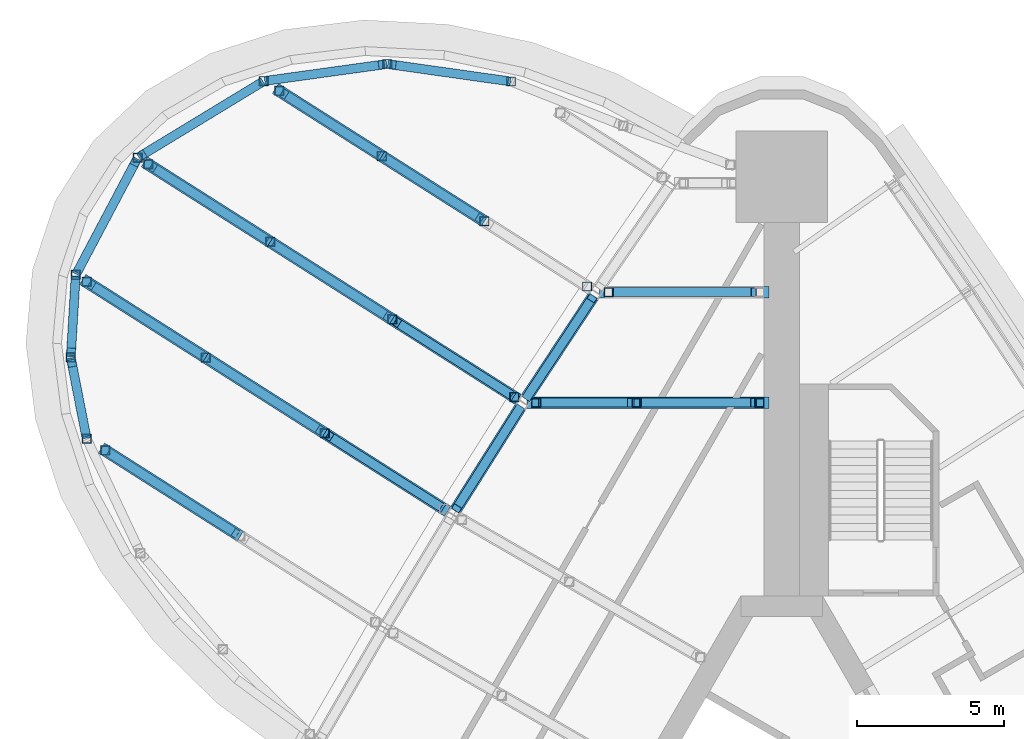
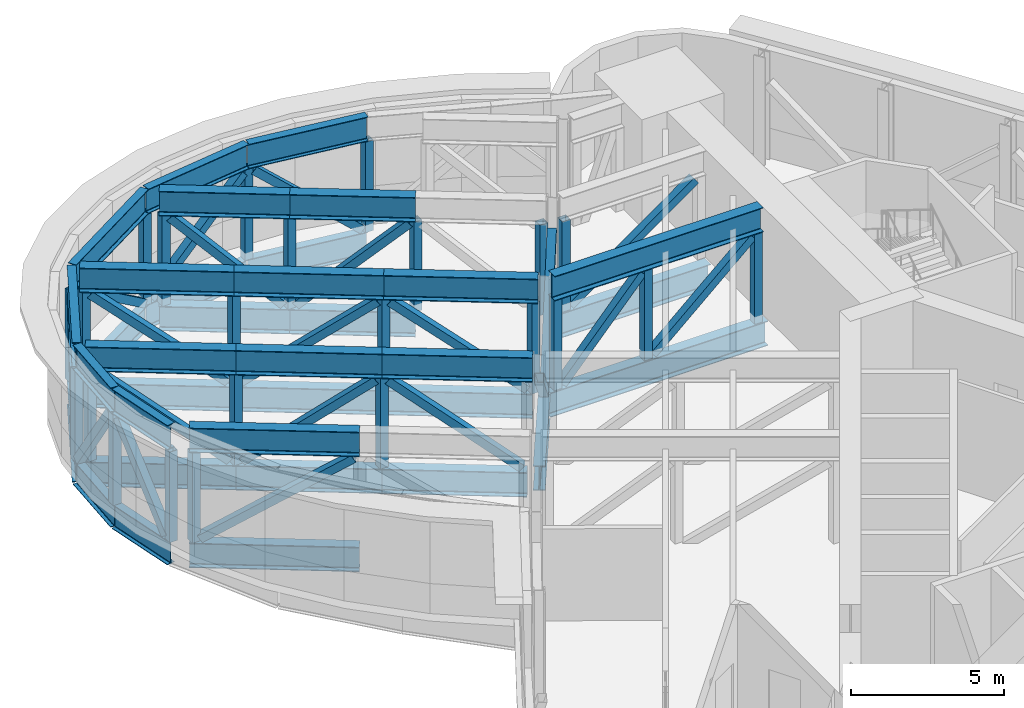
# One storey, part 4 of 11: 76 members, 2 beams.
"""IFC4 building model written with IfcOpenShell, lengths in metres."""

from ifc_helpers import new_model, si_unit, direction, frame, origin, origin_2d, place, context, subcontext, project, spatial, hollow_rectangle, i_section, extrude, material, material_profile, profile_set, type_object, element, save


model = new_model("IFC4")

# Units and contexts
model_context = context("Model", 3, precision=1e-05, world=origin(), true_north=direction((0.0, 1.0)))
body_context = subcontext(model_context, "Body", "Model", "MODEL_VIEW")
ifc_project = project(units=[si_unit("LENGTHUNIT", "METRE"), si_unit("AREAUNIT", "SQUARE_METRE"), si_unit("VOLUMEUNIT", "CUBIC_METRE"), si_unit("PLANEANGLEUNIT", "RADIAN"), si_unit("MASSUNIT", "GRAM", prefix="KILO")], contexts=[model_context])

# Site, building, storey
site_placement = place(None, origin())
site = spatial("IfcSite", under=ifc_project, at=site_placement, CompositionType="ELEMENT")
building_placement = place(site_placement, origin())
building = spatial("IfcBuilding", under=site, at=building_placement, Name="Noor Cloister Tower", CompositionType="ELEMENT")
storey_placement = place(building_placement, frame((0.0, 0.0, 87.0)))
storey = spatial("IfcBuildingStorey", under=building, at=storey_placement, Name="L22", CompositionType="ELEMENT", Elevation=87.0)

# Beams
ifc_material_1 = material(Name="Steel ASTM A992 Gr 50", Category="steel")
ifc_material_profile_1 = material_profile(ifc_material_1, i_section(OverallWidth=0.40087890625, OverallDepth=0.98291015625, WebThickness=0.0166015625, FlangeThickness=0.027099609375, FilletRadius=0.030029296875, at=origin_2d()), Name="W1000x296")
ifc_profile_set_1 = profile_set([ifc_material_profile_1], Name="Steel ASTM A992 Gr 50")
beam_type = type_object("IfcBeamType", Name="Belt chord girder W1000x296", PredefinedType="BEAM", material=ifc_profile_set_1)
for number, where, z_axis, x_axis, name in (
    (1, (-6.4091796875, 21.595947265625, -0.79150390625), (-0.55023760703, -0.835008129188, 0.0), (0.835008129188, -0.55023760703, 0.0), "Spandrel beam NW 02 L22"),
    (2, (-8.875732421875, 17.84521484375, -0.79150390625), (-0.533743383618, -0.845646498511, 0.0), (0.845646498511, -0.533743383618, 0.0), "Spandrel beam NW 03 L22"),
):
    element("IfcBeam", number, at=place(storey_placement, frame(where, z_axis=z_axis, x_axis=x_axis)), inside=storey, type_object=beam_type, Name=name, PredefinedType="BEAM", context=body_context, shape_type="SweptSolid", body=[
        extrude(i_section(OverallWidth=0.40087890625, OverallDepth=0.98291015625, WebThickness=0.0166015625, FlangeThickness=0.027099609375, FilletRadius=0.030029296875, at=origin_2d()), origin(), (0.0, 0.0, 1.0), 4.085205078125),
    ])

# Members
ifc_material_2 = material(Name="Steel ASTM A500 Gr C", Category="steel")
ifc_material_profile_2 = material_profile(ifc_material_2, hollow_rectangle(XDim=0.304931640625, YDim=0.304931640625, WallThickness=0.0126953125, at=origin_2d()), Name="HSS304.8x304.8x12.7")
ifc_profile_set_2 = profile_set([ifc_material_profile_2], Name="Steel ASTM A500 Gr C")
member_type_1 = type_object("IfcMemberType", Name="Belt truss diagonal HSS304.8x304.8x12.7", PredefinedType="BRACE", material=ifc_profile_set_2)
for number, where, z_axis, x_axis, name in (
    (3, (-8.6318359375, 18.222900390625, -0.18359375), (0.41981778305, 0.637048535487, 0.646469018955), (-0.834991396882, 0.55026299815, 0.0), "Belt truss diagonal NW 02 L22"),
    (4, (-8.900146484375, 17.806884765625, -0.18359375), (-0.407176762911, -0.64520564825, 0.646464813592), (0.845679126931, -0.533691684658, 0.0), "Belt truss diagonal NW 03 L22"),
):
    element("IfcMember", number, at=place(storey_placement, frame(where, z_axis=z_axis, x_axis=x_axis)), inside=storey, type_object=member_type_1, Name=name, PredefinedType="BRACE", context=body_context, shape_type="SweptSolid", body=[
        extrude(hollow_rectangle(XDim=0.304931640625, YDim=0.304931640625, WallThickness=0.0126953125, at=origin_2d()), origin(), (0.0, 0.0, 1.0), 5.235107421875),
    ])
ifc_material_3 = material(Name="Steel ASTM A992 Gr 50", Category="steel")
ifc_material_profile_3 = material_profile(ifc_material_3, i_section(OverallWidth=0.300048828125, OverallDepth=0.97998046875, WebThickness=0.0166015625, FlangeThickness=0.026123046875, FilletRadius=0.02978515625, at=origin_2d()), Name="W1000x249")
ifc_profile_set_3 = profile_set([ifc_material_profile_3], Name="Steel ASTM A992 Gr 50")
member_type_2 = type_object("IfcMemberType", Name="Pod ring chord W1000x249", PredefinedType="CHORD", material=ifc_profile_set_3)
for number, where, z_axis, x_axis, name in (
    (5, (-9.20263671875, 28.9169921875, -0.7900390625), (-0.990148289424, 0.140022730119, 0.0), (-0.140022730119, -0.990148289424, 0.0), "Pod truss 2 bottom chord ring 3"),
    (6, (-9.20263671875, 28.9169921875, 3.81005859375), (-0.990148289424, 0.140022730119, 0.0), (-0.140022730119, -0.990148289424, 0.0), "Pod truss 2 top chord ring 3"),
):
    element("IfcMember", number, at=place(storey_placement, frame(where, z_axis=z_axis, x_axis=x_axis)), inside=storey, type_object=member_type_2, Name=name, PredefinedType="CHORD", context=body_context, shape_type="SweptSolid", body=[
        extrude(i_section(OverallWidth=0.300048828125, OverallDepth=0.97998046875, WebThickness=0.0166015625, FlangeThickness=0.026123046875, FilletRadius=0.02978515625, at=origin_2d()), origin(), (0.0, 0.0, 1.0), 4.203857421875),
    ])
for number, where, z_axis, x_axis, name in (
    (7, (-13.40673828125, 29.505615234375, -0.7900390625), (-0.990556589538, -0.137104496361, 0.0), (0.137104496361, -0.990556589538, 0.0), "Pod truss 2 bottom chord ring 4"),
    (8, (-13.40673828125, 29.505615234375, 3.81005859375), (-0.990556589538, -0.137104496361, 0.0), (0.137104496361, -0.990556589538, 0.0), "Pod truss 2 top chord ring 4"),
):
    element("IfcMember", number, at=place(storey_placement, frame(where, z_axis=z_axis, x_axis=x_axis)), inside=storey, type_object=member_type_2, Name=name, PredefinedType="CHORD", context=body_context, shape_type="SweptSolid", body=[
        extrude(i_section(OverallWidth=0.300048828125, OverallDepth=0.97998046875, WebThickness=0.0166015625, FlangeThickness=0.026123046875, FilletRadius=0.02978515625, at=origin_2d()), origin(), (0.0, 0.0, 1.0), 4.173828125),
    ])
for number, where, z_axis, x_axis, name in (
    (9, (-17.5986328125, 28.912841796875, -0.7900390625), (-0.854676947338, -0.519160202335, 0.0), (0.519160202335, -0.854676947338, 0.0), "Pod truss 2 bottom chord ring 5"),
    (10, (-17.5986328125, 28.912841796875, 3.81005859375), (-0.854676947338, -0.519160202335, 0.0), (0.519160202335, -0.854676947338, 0.0), "Pod truss 2 top chord ring 5"),
):
    element("IfcMember", number, at=place(storey_placement, frame(where, z_axis=z_axis, x_axis=x_axis)), inside=storey, type_object=member_type_2, Name=name, PredefinedType="CHORD", context=body_context, shape_type="SweptSolid", body=[
        extrude(i_section(OverallWidth=0.300048828125, OverallDepth=0.97998046875, WebThickness=0.0166015625, FlangeThickness=0.026123046875, FilletRadius=0.02978515625, at=origin_2d()), origin(), (0.0, 0.0, 1.0), 4.93359375),
    ])
for number, where, z_axis, x_axis, name in (
    (11, (-21.869873046875, 26.293212890625, -0.7900390625), (-0.467512874342, -0.88398626252, 0.0), (0.88398626252, -0.467512874342, 0.0), "Pod truss 2 bottom chord ring 6"),
    (12, (-21.869873046875, 26.293212890625, 3.81005859375), (-0.467512874342, -0.88398626252, 0.0), (0.88398626252, -0.467512874342, 0.0), "Pod truss 2 top chord ring 6"),
):
    element("IfcMember", number, at=place(storey_placement, frame(where, z_axis=z_axis, x_axis=x_axis)), inside=storey, type_object=member_type_2, Name=name, PredefinedType="CHORD", context=body_context, shape_type="SweptSolid", body=[
        extrude(i_section(OverallWidth=0.300048828125, OverallDepth=0.97998046875, WebThickness=0.0166015625, FlangeThickness=0.026123046875, FilletRadius=0.02978515625, at=origin_2d()), origin(), (0.0, 0.0, 1.0), 4.429443359375),
    ])
for number, where, z_axis, x_axis, name in (
    (13, (-23.957763671875, 22.31640625, -0.7900390625), (-0.059954150617, -0.998201131949, 0.0), (0.998201131949, -0.059954150617, 0.0), "Pod truss 2 bottom chord ring 7"),
    (14, (-23.957763671875, 22.31640625, 3.81005859375), (-0.059954150617, -0.998201131949, 0.0), (0.998201131949, -0.059954150617, 0.0), "Pod truss 2 top chord ring 7"),
):
    element("IfcMember", number, at=place(storey_placement, frame(where, z_axis=z_axis, x_axis=x_axis)), inside=storey, type_object=member_type_2, Name=name, PredefinedType="CHORD", context=body_context, shape_type="SweptSolid", body=[
        extrude(i_section(OverallWidth=0.300048828125, OverallDepth=0.97998046875, WebThickness=0.0166015625, FlangeThickness=0.026123046875, FilletRadius=0.02978515625, at=origin_2d()), origin(), (0.0, 0.0, 1.0), 2.752685546875),
    ])
for number, where, z_axis, x_axis, name in (
    (15, (-24.120361328125, 19.53076171875, -0.7900390625), (0.192163013975, -0.981363019509, 0.0), (0.981363019509, 0.192163013975, 0.0), "Pod truss 2 bottom chord ring 8"),
    (16, (-24.120361328125, 19.53076171875, 3.81005859375), (0.192163013975, -0.981363019509, 0.0), (0.981363019509, 0.192163013975, 0.0), "Pod truss 2 top chord ring 8"),
):
    element("IfcMember", number, at=place(storey_placement, frame(where, z_axis=z_axis, x_axis=x_axis)), inside=storey, type_object=member_type_2, Name=name, PredefinedType="CHORD", context=body_context, shape_type="SweptSolid", body=[
        extrude(i_section(OverallWidth=0.300048828125, OverallDepth=0.97998046875, WebThickness=0.0166015625, FlangeThickness=0.026123046875, FilletRadius=0.02978515625, at=origin_2d()), origin(), (0.0, 0.0, 1.0), 2.768310546875),
    ])
ifc_material_4 = material(Name="Steel ASTM A992 Gr 50", Category="steel")
ifc_material_profile_4 = material_profile(ifc_material_4, i_section(OverallWidth=0.40087890625, OverallDepth=0.98291015625, WebThickness=0.0166015625, FlangeThickness=0.027099609375, FilletRadius=0.030029296875, at=origin_2d()), Name="W1000x296")
ifc_profile_set_4 = profile_set([ifc_material_profile_4], Name="Steel ASTM A992 Gr 50")
member_type_3 = type_object("IfcMemberType", Name="Pod truss chord W1000x296", PredefinedType="CHORD", material=ifc_profile_set_4)
for number, where, z_axis, x_axis, name in (
    (17, (-10.08447265625, 24.1708984375, -0.79150390625), (-0.844004898836, 0.536335464742, 0.0), (-0.536335464742, -0.844004898836, 0.0), "Pod truss 2 bottom chord line 2 cantilever 2"),
    (18, (-10.08447265625, 24.1708984375, 3.80859375), (-0.844004898836, 0.536335464742, 0.0), (-0.536335464742, -0.844004898836, 0.0), "Pod truss 2 top chord line 2 cantilever 2"),
):
    element("IfcMember", number, at=place(storey_placement, frame(where, z_axis=z_axis, x_axis=x_axis)), inside=storey, type_object=member_type_3, Name=name, PredefinedType="CHORD", context=body_context, shape_type="SweptSolid", body=[
        extrude(i_section(OverallWidth=0.40087890625, OverallDepth=0.98291015625, WebThickness=0.0166015625, FlangeThickness=0.027099609375, FilletRadius=0.030029296875, at=origin_2d()), origin(), (0.0, 0.0, 1.0), 4.12548828125),
    ])
for number, where, z_axis, x_axis, name in (
    (19, (-13.56640625, 26.383544921875, -0.79150390625), (-0.843976222803, 0.536380588149, 0.0), (-0.536380588149, -0.843976222803, 0.0), "Pod truss 2 bottom chord line 2 cantilever 3"),
    (20, (-13.56640625, 26.383544921875, 3.80859375), (-0.843976222803, 0.536380588149, 0.0), (-0.536380588149, -0.843976222803, 0.0), "Pod truss 2 top chord line 2 cantilever 3"),
):
    element("IfcMember", number, at=place(storey_placement, frame(where, z_axis=z_axis, x_axis=x_axis)), inside=storey, type_object=member_type_3, Name=name, PredefinedType="CHORD", context=body_context, shape_type="SweptSolid", body=[
        extrude(i_section(OverallWidth=0.40087890625, OverallDepth=0.98291015625, WebThickness=0.0166015625, FlangeThickness=0.027099609375, FilletRadius=0.030029296875, at=origin_2d()), origin(), (0.0, 0.0, 1.0), 4.278076171875),
    ])
member_1_placement = place(storey_placement, frame((-6.17333984375, 21.7646484375, -0.79150390625), z_axis=(1.0, 0.0, 0.0), x_axis=(0.0, 1.0, 0.0)))
element("IfcMember", 21, at=member_1_placement, inside=storey, type_object=member_type_3, Name="Pod truss 2 bottom chord line 2 back span", PredefinedType="CHORD", context=body_context, shape_type="SweptSolid", body=[
    extrude(i_section(OverallWidth=0.40087890625, OverallDepth=0.98291015625, WebThickness=0.0166015625, FlangeThickness=0.027099609375, FilletRadius=0.030029296875, at=origin_2d()), origin(), (0.0, 0.0, 1.0), 5.748291015625),
])
member_2_placement = place(storey_placement, frame((-9.090576171875, 18.22119140625, -0.79150390625), z_axis=(-0.84401129242, 0.53632540334, 0.0), x_axis=(-0.53632540334, -0.84401129242, 0.0)))
element("IfcMember", 22, at=member_2_placement, inside=storey, type_object=member_type_3, Name="Pod truss 2 bottom chord line 3 cantilever 1", PredefinedType="CHORD", context=body_context, shape_type="SweptSolid", body=[
    extrude(i_section(OverallWidth=0.40087890625, OverallDepth=0.98291015625, WebThickness=0.0166015625, FlangeThickness=0.027099609375, FilletRadius=0.030029296875, at=origin_2d()), origin(), (0.0, 0.0, 1.0), 4.883056640625),
])
member_3_placement = place(storey_placement, frame((-8.9404296875, 18.125732421875, 3.80859375), z_axis=(-0.844006938278, 0.53633225536, 0.0), x_axis=(-0.53633225536, -0.844006938278, 0.0)))
element("IfcMember", 23, at=member_3_placement, inside=storey, type_object=member_type_3, Name="Pod truss 2 top chord line 3 cantilever 1", PredefinedType="CHORD", context=body_context, shape_type="SweptSolid", body=[
    extrude(i_section(OverallWidth=0.40087890625, OverallDepth=0.98291015625, WebThickness=0.0166015625, FlangeThickness=0.027099609375, FilletRadius=0.030029296875, at=origin_2d()), origin(), (0.0, 0.0, 1.0), 5.06103515625),
])
for number, where, z_axis, x_axis, name in (
    (24, (-13.2119140625, 20.840087890625, -0.79150390625), (-0.843995170507, 0.536350773431, 0.0), (-0.536350773431, -0.843995170507, 0.0), "Pod truss 2 bottom chord line 3 cantilever 2"),
    (25, (-13.2119140625, 20.840087890625, 3.80859375), (-0.843995170507, 0.536350773431, 0.0), (-0.536350773431, -0.843995170507, 0.0), "Pod truss 2 top chord line 3 cantilever 2"),
):
    element("IfcMember", number, at=place(storey_placement, frame(where, z_axis=z_axis, x_axis=x_axis)), inside=storey, type_object=member_type_3, Name=name, PredefinedType="CHORD", context=body_context, shape_type="SweptSolid", body=[
        extrude(i_section(OverallWidth=0.40087890625, OverallDepth=0.98291015625, WebThickness=0.0166015625, FlangeThickness=0.027099609375, FilletRadius=0.030029296875, at=origin_2d()), origin(), (0.0, 0.0, 1.0), 4.908203125),
    ])
for number, where, z_axis, x_axis, name in (
    (26, (-17.3544921875, 23.47265625, -0.79150390625), (-0.843993061085, 0.536354092778, 0.0), (-0.536354092778, -0.843993061085, 0.0), "Pod truss 2 bottom chord line 3 cantilever 3"),
    (27, (-17.3544921875, 23.47265625, 3.80859375), (-0.843993061085, 0.536354092778, 0.0), (-0.536354092778, -0.843993061085, 0.0), "Pod truss 2 top chord line 3 cantilever 3"),
):
    element("IfcMember", number, at=place(storey_placement, frame(where, z_axis=z_axis, x_axis=x_axis)), inside=storey, type_object=member_type_3, Name=name, PredefinedType="CHORD", context=body_context, shape_type="SweptSolid", body=[
        extrude(i_section(OverallWidth=0.40087890625, OverallDepth=0.98291015625, WebThickness=0.0166015625, FlangeThickness=0.027099609375, FilletRadius=0.030029296875, at=origin_2d()), origin(), (0.0, 0.0, 1.0), 5.060791015625),
    ])
member_4_placement = place(storey_placement, frame((-8.64208984375, 18.01611328125, -0.79150390625), z_axis=(1.0, 0.0, 0.0), x_axis=(0.0, 1.0, 0.0)))
element("IfcMember", 28, at=member_4_placement, inside=storey, type_object=member_type_3, Name="Pod truss 2 bottom chord line 3 back span", PredefinedType="CHORD", context=body_context, shape_type="SweptSolid", body=[
    extrude(i_section(OverallWidth=0.40087890625, OverallDepth=0.98291015625, WebThickness=0.0166015625, FlangeThickness=0.027099609375, FilletRadius=0.030029296875, at=origin_2d()), origin(), (0.0, 0.0, 1.0), 8.217041015625),
])
member_5_placement = place(storey_placement, frame((-8.488037109375, 18.01611328125, 3.80859375), z_axis=(1.0, 0.0, 0.0), x_axis=(0.0, 1.0, 0.0)))
element("IfcMember", 29, at=member_5_placement, inside=storey, type_object=member_type_3, Name="Pod truss 2 top chord line 3 back span", PredefinedType="CHORD", context=body_context, shape_type="SweptSolid", body=[
    extrude(i_section(OverallWidth=0.40087890625, OverallDepth=0.98291015625, WebThickness=0.0166015625, FlangeThickness=0.027099609375, FilletRadius=0.030029296875, at=origin_2d()), origin(), (0.0, 0.0, 1.0), 7.887939453125),
])
member_6_placement = place(storey_placement, frame((-11.486083984375, 14.424560546875, -0.79150390625), z_axis=(-0.844007367852, 0.536331579353, 0.0), x_axis=(-0.536331579353, -0.844007367852, 0.0)))
element("IfcMember", 30, at=member_6_placement, inside=storey, type_object=member_type_3, Name="Pod truss 2 bottom chord line 4 cantilever 1", PredefinedType="CHORD", context=body_context, shape_type="SweptSolid", body=[
    extrude(i_section(OverallWidth=0.40087890625, OverallDepth=0.98291015625, WebThickness=0.0166015625, FlangeThickness=0.027099609375, FilletRadius=0.030029296875, at=origin_2d()), origin(), (0.0, 0.0, 1.0), 4.76416015625),
])
member_7_placement = place(storey_placement, frame((-11.33740234375, 14.330078125, 3.80859375), z_axis=(-0.844007237463, 0.536331784542, 0.0), x_axis=(-0.536331784542, -0.844007237463, 0.0)))
element("IfcMember", 31, at=member_7_placement, inside=storey, type_object=member_type_3, Name="Pod truss 2 top chord line 4 cantilever 1", PredefinedType="CHORD", context=body_context, shape_type="SweptSolid", body=[
    extrude(i_section(OverallWidth=0.40087890625, OverallDepth=0.98291015625, WebThickness=0.0166015625, FlangeThickness=0.027099609375, FilletRadius=0.030029296875, at=origin_2d()), origin(), (0.0, 0.0, 1.0), 4.9404296875),
])
for number, where, z_axis, x_axis, name in (
    (32, (-15.507080078125, 16.979736328125, -0.79150390625), (-0.843972098945, 0.536387076841, 0.0), (-0.536387076841, -0.843972098945, 0.0), "Pod truss 2 bottom chord line 4 cantilever 2"),
    (33, (-15.507080078125, 16.979736328125, 3.80859375), (-0.843972098945, 0.536387076841, 0.0), (-0.536387076841, -0.843972098945, 0.0), "Pod truss 2 top chord line 4 cantilever 2"),
):
    element("IfcMember", number, at=place(storey_placement, frame(where, z_axis=z_axis, x_axis=x_axis)), inside=storey, type_object=member_type_3, Name=name, PredefinedType="CHORD", context=body_context, shape_type="SweptSolid", body=[
        extrude(i_section(OverallWidth=0.40087890625, OverallDepth=0.98291015625, WebThickness=0.0166015625, FlangeThickness=0.027099609375, FilletRadius=0.030029296875, at=origin_2d()), origin(), (0.0, 0.0, 1.0), 4.787841796875),
    ])
for number, where, z_axis, x_axis, name in (
    (34, (-19.5478515625, 19.5478515625, -0.79150390625), (-0.844007237463, 0.536331784542, 0.0), (-0.536331784542, -0.844007237463, 0.0), "Pod truss 2 bottom chord line 4 cantilever 3"),
    (35, (-19.5478515625, 19.5478515625, 3.80859375), (-0.844007237463, 0.536331784542, 0.0), (-0.536331784542, -0.844007237463, 0.0), "Pod truss 2 top chord line 4 cantilever 3"),
):
    element("IfcMember", number, at=place(storey_placement, frame(where, z_axis=z_axis, x_axis=x_axis)), inside=storey, type_object=member_type_3, Name=name, PredefinedType="CHORD", context=body_context, shape_type="SweptSolid", body=[
        extrude(i_section(OverallWidth=0.40087890625, OverallDepth=0.98291015625, WebThickness=0.0166015625, FlangeThickness=0.027099609375, FilletRadius=0.030029296875, at=origin_2d()), origin(), (0.0, 0.0, 1.0), 4.9404296875),
    ])
for number, where, z_axis, x_axis, name in (
    (36, (-18.37158203125, 13.482666015625, -0.79150390625), (-0.843972980806, 0.536385689284, 0.0), (-0.536385689284, -0.843972980806, 0.0), "Pod truss 2 bottom chord line 5 cantilever 2"),
    (37, (-18.37158203125, 13.482666015625, 3.80859375), (-0.843972980806, 0.536385689284, 0.0), (-0.536385689284, -0.843972980806, 0.0), "Pod truss 2 top chord line 5 cantilever 2"),
):
    element("IfcMember", number, at=place(storey_placement, frame(where, z_axis=z_axis, x_axis=x_axis)), inside=storey, type_object=member_type_3, Name=name, PredefinedType="CHORD", context=body_context, shape_type="SweptSolid", body=[
        extrude(i_section(OverallWidth=0.40087890625, OverallDepth=0.98291015625, WebThickness=0.0166015625, FlangeThickness=0.027099609375, FilletRadius=0.030029296875, at=origin_2d()), origin(), (0.0, 0.0, 1.0), 5.580810546875),
    ])
ifc_material_5 = material(Name="Steel ASTM A500 Gr C", Category="steel")
ifc_material_profile_5 = material_profile(ifc_material_5, hollow_rectangle(XDim=0.304931640625, YDim=0.304931640625, WallThickness=0.0126953125, at=origin_2d()), Name="HSS304.8x304.8x12.7")
ifc_profile_set_5 = profile_set([ifc_material_profile_5], Name="Steel ASTM A500 Gr C")
member_type_4 = type_object("IfcMemberType", Name="Pod truss diagonal HSS304.8x304.8x12.7", PredefinedType="BRACE", material=ifc_profile_set_5)
member_8_placement = place(storey_placement, frame((-9.38037109375, 28.942138671875, -0.185546875), z_axis=(-0.742830358495, 0.105010174357, 0.661192802275), x_axis=(-0.139973249587, -0.990155285498, 0.0)))
element("IfcMember", 38, at=member_8_placement, inside=storey, type_object=member_type_4, Name="Pod truss 2 diagonal ring 3", PredefinedType="BRACE", context=body_context, shape_type="SweptSolid", body=[
    extrude(hollow_rectangle(XDim=0.304931640625, YDim=0.304931640625, WallThickness=0.0126953125, at=origin_2d()), origin(), (0.0, 0.0, 1.0), 5.128662109375),
])
member_9_placement = place(storey_placement, frame((-13.58154296875, 29.4814453125, 3.205810546875), z_axis=(-0.741680040304, -0.10263469935, -0.662855064327), x_axis=(0.137075139183, -0.990560652468, 0.0)))
element("IfcMember", 39, at=member_9_placement, inside=storey, type_object=member_type_4, Name="Pod truss 2 diagonal ring 4", PredefinedType="BRACE", context=body_context, shape_type="SweptSolid", body=[
    extrude(hollow_rectangle(XDim=0.304931640625, YDim=0.304931640625, WallThickness=0.0126953125, at=origin_2d()), origin(), (0.0, 0.0, 1.0), 5.11669921875),
])
member_10_placement = place(storey_placement, frame((-17.74072265625, 28.82666015625, -0.177001953125), z_axis=(-0.689719599021, -0.419036061677, 0.590504575546), x_axis=(0.519229562536, -0.854634811711, 0.0)))
element("IfcMember", 40, at=member_10_placement, inside=storey, type_object=member_type_4, Name="Pod truss 2 diagonal ring 5", PredefinedType="BRACE", context=body_context, shape_type="SweptSolid", body=[
    extrude(hollow_rectangle(XDim=0.304931640625, YDim=0.304931640625, WallThickness=0.0126953125, at=origin_2d()), origin(), (0.0, 0.0, 1.0), 5.7138671875),
])
member_11_placement = place(storey_placement, frame((-21.94287109375, 26.1552734375, 3.202392578125), z_axis=(-0.360823802459, -0.682249149813, -0.63587914037), x_axis=(0.88398443101, -0.467516337395, 0.0)))
element("IfcMember", 41, at=member_11_placement, inside=storey, type_object=member_type_4, Name="Pod truss 2 diagonal ring 6", PredefinedType="BRACE", context=body_context, shape_type="SweptSolid", body=[
    extrude(hollow_rectangle(XDim=0.304931640625, YDim=0.304931640625, WallThickness=0.0126953125, at=origin_2d()), origin(), (0.0, 0.0, 1.0), 5.322998046875),
])
member_12_placement = place(storey_placement, frame((-23.9677734375, 22.15185546875, -0.212646484375), z_axis=(-0.034318744607, -0.572095214661, 0.81946890675), x_axis=(0.99820557228, -0.059880175925, 0.0)))
element("IfcMember", 42, at=member_12_placement, inside=storey, type_object=member_type_4, Name="Pod truss 2 diagonal ring 7", PredefinedType="BRACE", context=body_context, shape_type="SweptSolid", body=[
    extrude(hollow_rectangle(XDim=0.304931640625, YDim=0.304931640625, WallThickness=0.0126953125, at=origin_2d()), origin(), (0.0, 0.0, 1.0), 4.204345703125),
])
member_13_placement = place(storey_placement, frame((-24.0859375, 19.355712890625, 3.232666015625), z_axis=(0.110191429974, -0.562684583409, -0.819294762801), x_axis=(0.98135945709, 0.192181206104, 0.0)))
element("IfcMember", 43, at=member_13_placement, inside=storey, type_object=member_type_4, Name="Pod truss 2 diagonal ring 8", PredefinedType="BRACE", context=body_context, shape_type="SweptSolid", body=[
    extrude(hollow_rectangle(XDim=0.304931640625, YDim=0.304931640625, WallThickness=0.0126953125, at=origin_2d()), origin(), (0.0, 0.0, 1.0), 4.205322265625),
])
member_14_placement = place(storey_placement, frame((-10.2509765625, 24.27685546875, 3.2041015625), z_axis=(-0.624531543289, 0.396839264732, -0.672665555387), x_axis=(-0.536307938753, -0.844022390006, 0.0)))
element("IfcMember", 44, at=member_14_placement, inside=storey, type_object=member_type_4, Name="Pod truss 2 diagonal line 2 cantilever 2", PredefinedType="BRACE", context=body_context, shape_type="SweptSolid", body=[
    extrude(hollow_rectangle(XDim=0.304931640625, YDim=0.304931640625, WallThickness=0.0126953125, at=origin_2d()), origin(), (0.0, 0.0, 1.0), 5.041748046875),
])
member_15_placement = place(storey_placement, frame((-13.733154296875, 26.489501953125, -0.187255859375), z_axis=(-0.624490002866, 0.396892064477, 0.672672970674), x_axis=(-0.536384181502, -0.843973939073, 0.0)))
element("IfcMember", 45, at=member_15_placement, inside=storey, type_object=member_type_4, Name="Pod truss 2 diagonal line 2 cantilever 3", PredefinedType="BRACE", context=body_context, shape_type="SweptSolid", body=[
    extrude(hollow_rectangle(XDim=0.304931640625, YDim=0.304931640625, WallThickness=0.0126953125, at=origin_2d()), origin(), (0.0, 0.0, 1.0), 5.04150390625),
])
member_16_placement = place(storey_placement, frame((-5.666748046875, 21.7646484375, -0.17578125), z_axis=(0.813773313268, 0.0, 0.581182410791), x_axis=(0.0, 1.0, 0.0)))
element("IfcMember", 46, at=member_16_placement, inside=storey, type_object=member_type_4, Name="Pod truss 2 diagonal line 2 back span 1", PredefinedType="BRACE", context=body_context, shape_type="SweptSolid", body=[
    extrude(hollow_rectangle(XDim=0.304931640625, YDim=0.304931640625, WallThickness=0.0126953125, at=origin_2d()), origin(), (0.0, 0.0, 1.0), 5.796142578125),
])
for number, where, z_axis, x_axis, name in (
    (47, (-9.23583984375, 18.3134765625, -0.177734375), (-0.676102672219, 0.429632634433, 0.598582472219), (-0.53632936143, -0.844008777246, 0.0), "Pod truss 2 diagonal line 3 cantilever 1"),
    (48, (-13.37841796875, 20.946044921875, 3.19482421875), (-0.676102672219, 0.429632634433, -0.598582472219), (-0.53632936143, -0.844008777246, 0.0), "Pod truss 2 diagonal line 3 cantilever 2"),
    (49, (-17.521240234375, 23.57861328125, -0.177734375), (-0.676066559755, 0.429680554193, 0.598588864021), (-0.536392379954, -0.843968728524, 0.0), "Pod truss 2 diagonal line 3 cantilever 3"),
):
    element("IfcMember", number, at=place(storey_placement, frame(where, z_axis=z_axis, x_axis=x_axis)), inside=storey, type_object=member_type_4, Name=name, PredefinedType="BRACE", context=body_context, shape_type="SweptSolid", body=[
        extrude(hollow_rectangle(XDim=0.304931640625, YDim=0.304931640625, WallThickness=0.0126953125, at=origin_2d()), origin(), (0.0, 0.0, 1.0), 5.63427734375),
    ])
member_17_placement = place(storey_placement, frame((-8.137939453125, 18.01611328125, -0.198974609375), z_axis=(0.662122939031, 0.0, 0.749395231909), x_axis=(0.0, 1.0, 0.0)))
element("IfcMember", 50, at=member_17_placement, inside=storey, type_object=member_type_4, Name="Pod truss 2 diagonal line 3 back span 1", PredefinedType="BRACE", context=body_context, shape_type="SweptSolid", body=[
    extrude(hollow_rectangle(XDim=0.304931640625, YDim=0.304931640625, WallThickness=0.0126953125, at=origin_2d()), origin(), (0.0, 0.0, 1.0), 4.55712890625),
])
member_18_placement = place(storey_placement, frame((-4.7255859375, 18.01611328125, -0.1865234375), z_axis=(0.744071164691, 0.0, 0.668100368115), x_axis=(0.0, 1.0, 0.0)))
element("IfcMember", 51, at=member_18_placement, inside=storey, type_object=member_type_4, Name="Pod truss 2 diagonal line 3 back span 2", PredefinedType="BRACE", context=body_context, shape_type="SweptSolid", body=[
    extrude(hollow_rectangle(XDim=0.304931640625, YDim=0.304931640625, WallThickness=0.0126953125, at=origin_2d()), origin(), (0.0, 0.0, 1.0), 5.07421875),
])
member_19_placement = place(storey_placement, frame((-11.6328125, 14.517822265625, -0.178955078125), z_axis=(-0.669279040095, 0.425295847288, 0.609252828281), x_axis=(-0.536328752453, -0.844009164223, 0.0)))
element("IfcMember", 52, at=member_19_placement, inside=storey, type_object=member_type_4, Name="Pod truss 2 diagonal line 4 cantilever 1", PredefinedType="BRACE", context=body_context, shape_type="SweptSolid", body=[
    extrude(hollow_rectangle(XDim=0.304931640625, YDim=0.304931640625, WallThickness=0.0126953125, at=origin_2d()), origin(), (0.0, 0.0, 1.0), 5.53955078125),
])
for number, where, z_axis, x_axis, name in (
    (53, (-15.673583984375, 17.085693359375, 3.196044921875), (-0.669266495043, 0.425331946771, -0.609241408368), (-0.53636834183, -0.843984005703, 0.0), "Pod truss 2 diagonal line 4 cantilever 2"),
    (54, (-19.714599609375, 19.653564453125, -0.178955078125), (-0.669266495043, 0.425331946771, 0.609241408368), (-0.53636834183, -0.843984005703, 0.0), "Pod truss 2 diagonal line 4 cantilever 3"),
):
    element("IfcMember", number, at=place(storey_placement, frame(where, z_axis=z_axis, x_axis=x_axis)), inside=storey, type_object=member_type_4, Name=name, PredefinedType="BRACE", context=body_context, shape_type="SweptSolid", body=[
        extrude(hollow_rectangle(XDim=0.304931640625, YDim=0.304931640625, WallThickness=0.0126953125, at=origin_2d()), origin(), (0.0, 0.0, 1.0), 5.539794921875),
    ])
member_20_placement = place(storey_placement, frame((-18.5380859375, 13.588623046875, 3.190185546875), z_axis=(-0.701760293381, 0.445955136153, -0.555568634079), x_axis=(-0.536344992694, -0.843998844082, 0.0)))
element("IfcMember", 55, at=member_20_placement, inside=storey, type_object=member_type_4, Name="Pod truss 2 diagonal line 5 cantilever 2", PredefinedType="BRACE", context=body_context, shape_type="SweptSolid", body=[
    extrude(hollow_rectangle(XDim=0.304931640625, YDim=0.304931640625, WallThickness=0.0126953125, at=origin_2d()), origin(), (0.0, 0.0, 1.0), 6.0537109375),
])
ifc_material_6 = material(Name="Steel ASTM A500 Gr C", Category="steel")
ifc_material_profile_6 = material_profile(ifc_material_6, hollow_rectangle(XDim=0.304931640625, YDim=0.304931640625, WallThickness=0.0126953125, at=origin_2d()), Name="HSS304.8x304.8x12.7")
ifc_profile_set_6 = profile_set([ifc_material_profile_6], Name="Steel ASTM A500 Gr C")
member_type_5 = type_object("IfcMemberType", Name="Pod truss post HSS304.8x304.8x12.7", PredefinedType="POST", material=ifc_profile_set_6)
for number, where, z_axis, x_axis, name in (
    (56, (-9.184814453125, 28.91455078125, -0.300048828125), (0.0, 0.0, 1.0), (1.0, 0.0, 0.0), "Pod truss 2 post ring node 2"),
    (57, (-13.3857421875, 29.508544921875, -0.300048828125), (0.0, 0.0, 1.0), (1.0, 0.0, 0.0), "Pod truss 2 post ring node 3"),
    (58, (-17.572021484375, 28.92919921875, -0.300048828125), (0.0, 0.0, 1.0), (1.0, 0.0, 0.0), "Pod truss 2 post ring node 4"),
    (59, (-21.8505859375, 26.329833984375, -0.300048828125), (0.0, 0.0, 1.0), (1.0, 0.0, 0.0), "Pod truss 2 post ring node 5"),
    (60, (-23.955810546875, 22.34912109375, -0.300048828125), (0.0, 0.0, 1.0), (1.0, 0.0, 0.0), "Pod truss 2 post ring node 6"),
    (61, (-24.1240234375, 19.549560546875, -0.300048828125), (0.0, 0.0, 1.0), (1.0, 0.0, 0.0), "Pod truss 2 post ring node 7"),
    (62, (-23.584716796875, 16.795654296875, -0.300048828125), (0.0, 0.0, 1.0), (1.0, 0.0, 0.0), "Pod truss 2 post ring node 8"),
):
    element("IfcMember", number, at=place(storey_placement, frame(where, z_axis=z_axis, x_axis=x_axis)), inside=storey, type_object=member_type_5, Name=name, PredefinedType="POST", context=body_context, shape_type="SweptSolid", body=[
        extrude(hollow_rectangle(XDim=0.304931640625, YDim=0.304931640625, WallThickness=0.0126953125, at=origin_2d()), origin(), (0.0, 0.0, 1.0), 3.6201171875),
    ])
for number, where, z_axis, x_axis, name in (
    (63, (-6.6025390625, 21.9580078125, -0.300048828125), (0.0, 0.0, 1.0), (1.0, 0.0, 0.0), "Pod truss 2 post line 2 cantilever 1"),
    (64, (-10.08447265625, 24.1708984375, -0.300048828125), (0.0, 0.0, 1.0), (1.0, 0.0, 0.0), "Pod truss 2 post line 2 cantilever 2"),
    (65, (-13.56640625, 26.383544921875, -0.300048828125), (0.0, 0.0, 1.0), (1.0, 0.0, 0.0), "Pod truss 2 post line 2 cantilever 3"),
    (66, (-17.04833984375, 28.59619140625, -0.300048828125), (0.0, 0.0, 1.0), (1.0, 0.0, 0.0), "Pod truss 2 post line 2 cantilever 4"),
    (67, (-5.8642578125, 21.7646484375, -0.300048828125), (0.0, 0.0, 1.0), (1.0, 0.0, 0.0), "Pod truss 2 post line 2 back span 1"),
    (68, (-9.0693359375, 18.20751953125, -0.300048828125), (0.0, 0.0, 1.0), (1.0, 0.0, 0.0), "Pod truss 2 post line 3 cantilever 1"),
    (69, (-13.2119140625, 20.840087890625, -0.300048828125), (0.0, 0.0, 1.0), (1.0, 0.0, 0.0), "Pod truss 2 post line 3 cantilever 2"),
    (70, (-17.3544921875, 23.47265625, -0.300048828125), (0.0, 0.0, 1.0), (1.0, 0.0, 0.0), "Pod truss 2 post line 3 cantilever 3"),
    (71, (-21.4970703125, 26.105224609375, -0.300048828125), (0.0, 0.0, 1.0), (1.0, 0.0, 0.0), "Pod truss 2 post line 3 cantilever 4"),
    (72, (-8.33544921875, 18.01611328125, -0.300048828125), (0.0, 0.0, 1.0), (1.0, 0.0, 0.0), "Pod truss 2 post line 3 back span 1"),
    (73, (-4.923095703125, 18.01611328125, -0.300048828125), (0.0, 0.0, 1.0), (1.0, 0.0, 0.0), "Pod truss 2 post line 3 back span 2"),
    (74, (-0.75244140625, 18.01611328125, -0.300048828125), (0.0, 0.0, 1.0), (1.0, 0.0, 0.0), "Pod truss 2 post line 3 back span 3"),
    (75, (-15.507080078125, 16.979736328125, -0.300048828125), (0.0, 0.0, 1.0), (1.0, 0.0, 0.0), "Pod truss 2 post line 4 cantilever 2"),
    (76, (-19.5478515625, 19.5478515625, -0.300048828125), (0.0, 0.0, 1.0), (1.0, 0.0, 0.0), "Pod truss 2 post line 4 cantilever 3"),
    (77, (-23.588623046875, 22.11572265625, -0.300048828125), (0.0, 0.0, 1.0), (1.0, 0.0, 0.0), "Pod truss 2 post line 4 cantilever 4"),
    (78, (-22.952880859375, 16.39404296875, -0.300048828125), (0.0, 0.0, 1.0), (1.0, 0.0, 0.0), "Pod truss 2 post line 5 cantilever 3"),
):
    element("IfcMember", number, at=place(storey_placement, frame(where, z_axis=z_axis, x_axis=x_axis)), inside=storey, type_object=member_type_5, Name=name, PredefinedType="POST", context=body_context, shape_type="SweptSolid", body=[
        extrude(hollow_rectangle(XDim=0.304931640625, YDim=0.304931640625, WallThickness=0.0126953125, at=origin_2d()), origin(), (0.0, 0.0, 1.0), 3.616943359375),
    ])

save(model, "model.ifc")
